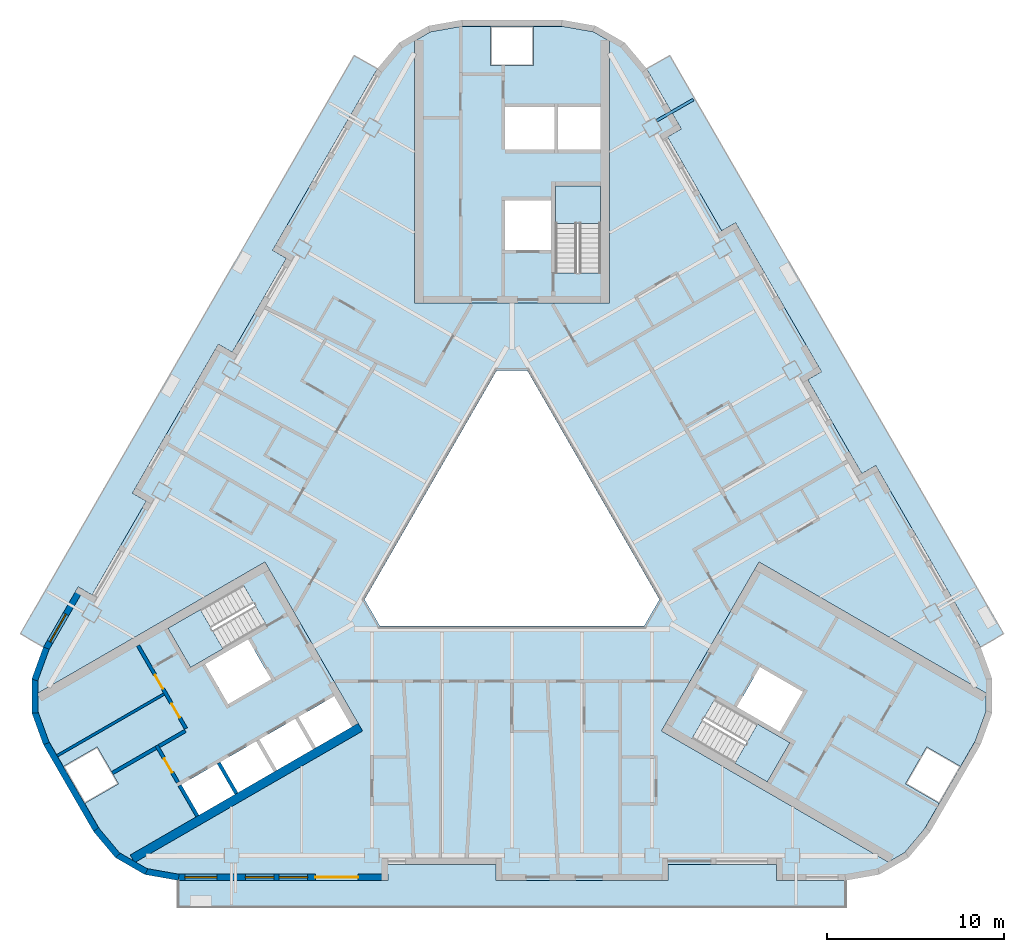
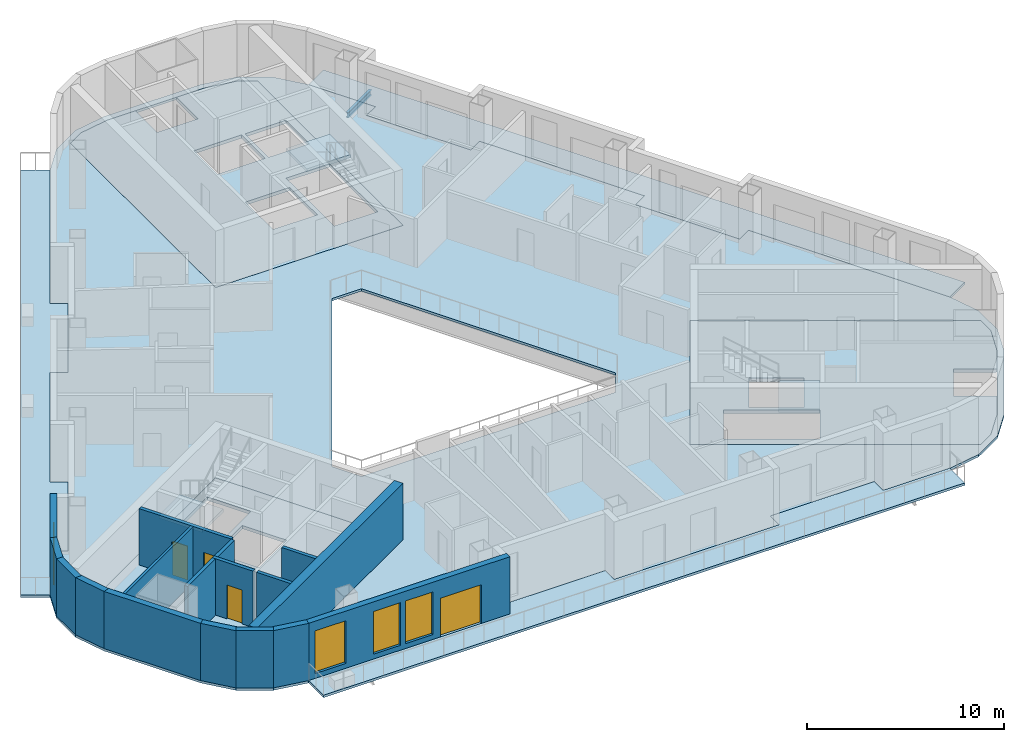
# One storey, part 2 of 14: 17 walls, 10 slabs, 4 doors, 4 windows, 1 beam, 8 openings, 3 elements without a shape of their own.
"""IFC4 building model written with IfcOpenShell, lengths in metres."""

from ifc_helpers import new_model, si_unit, direction, frame, frame_2d, origin, origin_2d, place, context, subcontext, project, spatial, polyline, rectangle, i_section, outline, extrude, material, layer, layer_set, material_profile, profile_set, type_object, element, fill, aggregate, save


model = new_model("IFC4")

# Units and contexts
model_context = context("Model", 3, precision=1e-05, world=origin(), true_north=direction((0.0, 1.0)))
body_context = subcontext(model_context, "Body", "Model", "MODEL_VIEW")
ifc_project = project(units=[si_unit("LENGTHUNIT", "METRE"), si_unit("AREAUNIT", "SQUARE_METRE"), si_unit("VOLUMEUNIT", "CUBIC_METRE"), si_unit("PLANEANGLEUNIT", "RADIAN"), si_unit("MASSUNIT", "GRAM", prefix="KILO")], contexts=[model_context])

# Site, building, storey
site_placement = place(None, origin())
site = spatial("IfcSite", under=ifc_project, at=site_placement, CompositionType="ELEMENT")
building_placement = place(site_placement, origin())
building = spatial("IfcBuilding", under=site, at=building_placement, Name="Apuvela Tower Hotel", CompositionType="ELEMENT")
storey_placement = place(building_placement, frame((0.0, 0.0, 150.300048828125)))
storey = spatial("IfcBuildingStorey", under=building, at=storey_placement, Name="L35", CompositionType="ELEMENT", Elevation=150.300048828125)

# Beam
ifc_material_1 = material(Name="Steel S355", Category="steel")
ifc_material_profile = material_profile(ifc_material_1, i_section(OverallWidth=0.159912109375, OverallDepth=0.330078125, WebThickness=0.007568359375, FlangeThickness=0.011474609375, at=origin_2d()), Name="IPE 330")
ifc_profile_set = profile_set([ifc_material_profile], Name="Steel S355")
beam_type = type_object("IfcBeamType", Name="ENV-BALCONY-BEAM-IPE330", PredefinedType="BEAM", material=ifc_profile_set)
beam_placement = place(storey_placement, frame((8.15576171875, 23.183837890625, -0.31494140625), z_axis=(0.866007538022, 0.500030943131, 0.0), x_axis=(-0.500030943131, 0.866007538022, 0.0)))
element("IfcBeam", 1, at=beam_placement, inside=storey, type_object=beam_type, Name="Balcony cantilever beam NE3 L35", PredefinedType="BEAM", context=body_context, shape_type="SweptSolid", body=[
    extrude(i_section(OverallWidth=0.159912109375, OverallDepth=0.330078125, WebThickness=0.007568359375, FlangeThickness=0.011474609375, at=origin_2d()), origin(), (0.0, 0.0, 1.0), 2.374755859375),
])

# Slabs
ifc_material_2 = material(Name="Concrete C50/60", Category="concrete")
ifc_layer_1 = layer(ifc_material_2, 0.199951171875)
ifc_layer_set_1 = layer_set([ifc_layer_1], Name="COR-FLOOR-200")
slab_type_1 = type_object("IfcSlabType", Name="COR-FLOOR-200", PredefinedType="FLOOR", material=ifc_layer_set_1)
slab_1_placement = place(storey_placement, frame((0.0, 0.0, -0.199951171875)))
element("IfcSlab", 2, at=slab_1_placement, inside=storey, type_object=slab_type_1, Name="Core floor N", PredefinedType="FLOOR", context=body_context, shape_type="SweptSolid", body=[
    extrude(outline(polyline([(5.5, 27.668212890625), (4.588623046875, 28.1943359375), (2.85498046875, 28.5), (1.199951171875, 28.5), (1.199951171875, 26.300048828125), (-1.199951171875, 26.300048828125), (-1.199951171875, 28.5), (-2.85498046875, 28.5), (-4.588623046875, 28.1943359375), (-5.5, 27.668212890625), (-5.5, 12.89990234375), (5.5, 12.89990234375), (5.5, 27.668212890625)]), holes=[polyline([(5.0, 14.60595703125), (2.449951171875, 14.60595703125), (2.449951171875, 19.5), (5.0, 19.5), (5.0, 14.60595703125)]), polyline([(2.199951171875, 15.89990234375), (-0.39990234375, 15.89990234375), (-0.39990234375, 18.699951171875), (2.199951171875, 18.699951171875), (2.199951171875, 15.89990234375)]), polyline([(5.0, 21.550048828125), (2.60009765625, 21.550048828125), (2.60009765625, 23.949951171875), (5.0, 23.949951171875), (5.0, 21.550048828125)]), polyline([(2.39990234375, 21.550048828125), (-0.39990234375, 21.550048828125), (-0.39990234375, 23.949951171875), (2.39990234375, 23.949951171875), (2.39990234375, 21.550048828125)])]), origin(), (0.0, 0.0, 1.0), 0.199951171875),
])
slab_2_placement = place(storey_placement, frame((0.0, 0.0, -0.199951171875)))
element("IfcSlab", 3, at=slab_2_placement, inside=storey, type_object=slab_type_1, Name="Core floor SW", PredefinedType="FLOOR", context=body_context, shape_type="SweptSolid", body=[
    extrude(outline(polyline([(-26.711181640625, -9.07080078125), (-26.711181640625, -10.123291015625), (-26.109375, -11.77734375), (-25.28173828125, -13.210693359375), (-23.37646484375, -12.11083984375), (-22.176513671875, -14.189208984375), (-24.081787109375, -15.289306640625), (-23.254150390625, -16.72265625), (-22.122802734375, -18.071044921875), (-21.211181640625, -18.59716796875), (-8.421630859375, -11.213134765625), (-13.921630859375, -1.68701171875), (-26.711181640625, -9.07080078125)]), holes=[polyline([(-10.01806640625, -9.248046875), (-9.01806640625, -10.97998046875), (-11.044677734375, -12.150146484375), (-12.044677734375, -10.418212890625), (-10.01806640625, -9.248046875)]), polyline([(-14.244384765625, -11.68798828125), (-12.2177734375, -10.51806640625), (-11.2177734375, -12.25), (-13.244384765625, -13.420166015625), (-14.244384765625, -11.68798828125)]), polyline([(-19.387451171875, -5.419921875), (-15.149169921875, -2.972900390625), (-13.874267578125, -5.18115234375), (-18.112548828125, -7.628173828125), (-19.387451171875, -5.419921875)]), polyline([(-14.869873046875, -6.044677734375), (-13.56982421875, -8.29638671875), (-15.99462890625, -9.6962890625), (-17.294677734375, -7.444580078125), (-14.869873046875, -6.044677734375)]), polyline([(-16.444091796875, -12.9580078125), (-14.41748046875, -11.7880859375), (-13.41748046875, -13.52001953125), (-15.444091796875, -14.690185546875), (-16.444091796875, -12.9580078125)]), polyline([(-18.643798828125, -14.22802734375), (-16.6171875, -13.05810546875), (-15.6171875, -14.7900390625), (-17.643798828125, -15.960205078125), (-18.643798828125, -14.22802734375)])]), origin(), (0.0, 0.0, 1.0), 0.199951171875),
])
slab_3_placement = place(storey_placement, frame((0.0, 0.0, -0.199951171875)))
element("IfcSlab", 4, at=slab_3_placement, inside=storey, type_object=slab_type_1, Name="Core floor SE", PredefinedType="FLOOR", context=body_context, shape_type="SweptSolid", body=[
    extrude(outline(polyline([(21.211181640625, -18.59716796875), (22.122802734375, -18.071044921875), (23.254150390625, -16.72265625), (24.081787109375, -15.289306640625), (22.176513671875, -14.189208984375), (23.37646484375, -12.11083984375), (25.28173828125, -13.210693359375), (26.109375, -11.77734375), (26.711181640625, -10.123291015625), (26.711181640625, -9.07080078125), (13.921630859375, -1.68701171875), (8.421630859375, -11.213134765625), (21.211181640625, -18.59716796875)]), holes=[polyline([(11.42431640625, -9.4248046875), (15.66259765625, -11.871826171875), (14.387451171875, -14.080078125), (10.149169921875, -11.633056640625), (11.42431640625, -9.4248046875)]), polyline([(13.9697265625, -7.603515625), (16.394775390625, -9.003662109375), (15.0947265625, -11.25537109375), (12.669921875, -9.855224609375), (13.9697265625, -7.603515625)])]), origin(), (0.0, 0.0, 1.0), 0.199951171875),
])

# Stair, slab
stair_type = type_object("IfcStairType", Name="COR-STAIR-22R", PredefinedType="HALF_TURN_STAIR", material=ifc_material_2)
stair_1_placement = place(storey_placement, origin())
stair_1 = element("IfcStair", 5, at=stair_1_placement, inside=storey, type_object=stair_type, Name="L35 Exit stair ST1", PredefinedType="HALF_TURN_STAIR")
ifc_layer_2 = layer(ifc_material_2, 0.199951171875)
ifc_layer_set_2 = layer_set([ifc_layer_2], Name="COR-LANDING-200")
slab_type_2 = type_object("IfcSlabType", Name="COR-LANDING-200", PredefinedType="LANDING", material=ifc_layer_set_2)
slab_4_placement = place(storey_placement, frame((0.0, 0.0, 1.64990234375)))
slab_4 = element("IfcSlab", 6, at=slab_4_placement, type_object=slab_type_2, Name="ST1 landing 1", PredefinedType="LANDING", context=body_context, shape_type="SweptSolid", body=[
    extrude(outline(polyline([(5.0, 17.39404296875), (5.0, 19.5), (2.449951171875, 19.5), (2.449951171875, 17.39404296875), (5.0, 17.39404296875)])), origin(), (0.0, 0.0, 1.0), 0.199951171875),
])
aggregate(stair_1, [slab_4])

stair_2_placement = place(storey_placement, origin())
stair_2 = element("IfcStair", 7, at=stair_2_placement, inside=storey, type_object=stair_type, Name="L35 Exit stair ST2", PredefinedType="HALF_TURN_STAIR")
slab_5_placement = place(storey_placement, frame((0.0, 0.0, 1.64990234375)))
slab_5 = element("IfcSlab", 8, at=slab_5_placement, type_object=slab_type_2, Name="ST2 landing 1", PredefinedType="LANDING", context=body_context, shape_type="SweptSolid", body=[
    extrude(outline(polyline([(-17.563720703125, -4.366943359375), (-19.387451171875, -5.419921875), (-18.112548828125, -7.628173828125), (-16.28857421875, -6.5751953125), (-17.563720703125, -4.366943359375)])), origin(), (0.0, 0.0, 1.0), 0.199951171875),
])
aggregate(stair_2, [slab_5])

stair_3_placement = place(storey_placement, origin())
stair_3 = element("IfcStair", 9, at=stair_3_placement, inside=storey, type_object=stair_type, Name="L35 Exit stair ST3", PredefinedType="HALF_TURN_STAIR")
slab_6_placement = place(storey_placement, frame((0.0, 0.0, 1.64990234375)))
slab_6 = element("IfcSlab", 10, at=slab_6_placement, type_object=slab_type_2, Name="ST3 landing 1", PredefinedType="LANDING", context=body_context, shape_type="SweptSolid", body=[
    extrude(outline(polyline([(12.563720703125, -13.027099609375), (14.387451171875, -14.080078125), (15.66259765625, -11.871826171875), (13.838623046875, -10.81884765625), (12.563720703125, -13.027099609375)])), origin(), (0.0, 0.0, 1.0), 0.199951171875),
])
aggregate(stair_3, [slab_6])

# Slabs
ifc_material_3 = material(Name="Concrete C40/50, fair-faced", Category="concrete")
ifc_layer_3 = layer(ifc_material_3, 0.14990234375)
ifc_layer_set_3 = layer_set([ifc_layer_3], Name="ENV-BALCONY-150")
slab_type_3 = type_object("IfcSlabType", Name="ENV-BALCONY-150", PredefinedType="FLOOR", material=ifc_layer_set_3)
slab_7_placement = place(storey_placement, frame((0.0, 0.0, -0.150146484375)))
element("IfcSlab", 11, at=slab_7_placement, inside=storey, type_object=slab_type_3, Name="Balcony slab S L35", PredefinedType="FLOOR", context=body_context, shape_type="SweptSolid", body=[
    extrude(outline(polyline([(18.82080078125, -21.135009765625), (-18.82080078125, -21.135009765625), (-18.82080078125, -19.625), (-7.0048828125, -19.625), (-7.0048828125, -18.72509765625), (-0.89501953125, -18.72509765625), (-0.89501953125, -19.625), (8.794921875, -19.625), (8.794921875, -18.72509765625), (14.905029296875, -18.72509765625), (14.905029296875, -19.625), (18.82080078125, -19.625), (18.82080078125, -21.135009765625)])), origin(), (0.0, 0.0, 1.0), 0.150146484375),
])
slab_8_placement = place(storey_placement, frame((0.0, 0.0, -0.150146484375)))
element("IfcSlab", 12, at=slab_8_placement, inside=storey, type_object=slab_type_3, Name="Balcony slab NE L35", PredefinedType="FLOOR", context=body_context, shape_type="SweptSolid", body=[
    extrude(outline(polyline([(17.443359375, 9.037353515625), (12.598388671875, 17.42919921875), (11.81884765625, 16.979248046875), (8.763916015625, 22.2705078125), (9.543212890625, 22.720703125), (7.585205078125, 26.11181640625), (8.89306640625, 26.86669921875), (27.7138671875, -5.731689453125), (26.40625, -6.48681640625), (20.498291015625, 3.74609375), (19.71875, 3.2958984375), (16.663818359375, 8.58740234375), (17.443359375, 9.037353515625)])), origin(), (0.0, 0.0, 1.0), 0.150146484375),
])
slab_9_placement = place(storey_placement, frame((0.0, 0.0, -0.150146484375)))
element("IfcSlab", 13, at=slab_9_placement, inside=storey, type_object=slab_type_3, Name="Balcony slab NW L35", PredefinedType="FLOOR", context=body_context, shape_type="SweptSolid", body=[
    extrude(outline(polyline([(-27.7138671875, -5.731689453125), (-8.89306640625, 26.86669921875), (-7.585205078125, 26.11181640625), (-13.4931640625, 15.87890625), (-12.7138671875, 15.428955078125), (-15.768798828125, 10.1376953125), (-16.548095703125, 10.587646484375), (-21.393310546875, 2.19580078125), (-20.61376953125, 1.745849609375), (-23.668701171875, -3.545654296875), (-24.4482421875, -3.095703125), (-26.40625, -6.48681640625), (-27.7138671875, -5.731689453125)])), origin(), (0.0, 0.0, 1.0), 0.150146484375),
])
ifc_material_4 = material(Name="Concrete C35/45", Category="concrete")
ifc_layer_4 = layer(ifc_material_4, 0.14990234375)
ifc_layer_set_4 = layer_set([ifc_layer_4], Name="STR-SLAB 150 floor Concrete C35/45")
slab_type_4 = type_object("IfcSlabType", Name="STR-SLAB 150 floor Concrete C35/45", PredefinedType="FLOOR", material=ifc_layer_set_4)
slab_10_placement = place(storey_placement, frame((0.0, 0.0, -0.150146484375)))
element("IfcSlab", 14, at=slab_10_placement, inside=storey, type_object=slab_type_4, Name="Floor slab S4 L35", PredefinedType="FLOOR", context=body_context, shape_type="SweptSolid", body=[
    extrude(outline(polyline([(-6.3642578125, 27.5732421875), (-4.710205078125, 28.5283203125), (-2.8291015625, 28.860107421875), (2.8291015625, 28.860107421875), (4.710205078125, 28.5283203125), (6.3642578125, 27.5732421875), (7.59228515625, 26.110107421875), (9.550048828125, 22.71875), (8.770751953125, 22.268798828125), (11.82080078125, 16.986083984375), (12.60009765625, 17.43603515625), (17.4501953125, 9.035400390625), (16.670654296875, 8.58544921875), (19.720703125, 3.302734375), (20.5, 3.752685546875), (26.407958984375, -6.47998046875), (27.061279296875, -8.27490234375), (27.061279296875, -10.18505859375), (26.407958984375, -11.97998046875), (23.5791015625, -16.8798828125), (22.351318359375, -18.34326171875), (20.697021484375, -19.29833984375), (18.81591796875, -19.6298828125), (14.89990234375, -19.6298828125), (14.89990234375, -18.72998046875), (8.800048828125, -18.72998046875), (8.800048828125, -19.6298828125), (-0.89990234375, -19.6298828125), (-0.89990234375, -18.72998046875), (-7.0, -18.72998046875), (-7.0, -19.6298828125), (-18.81591796875, -19.6298828125), (-20.697021484375, -19.29833984375), (-22.351318359375, -18.34326171875), (-23.5791015625, -16.8798828125), (-26.407958984375, -11.97998046875), (-27.061279296875, -10.18505859375), (-27.061279296875, -8.27490234375), (-26.407958984375, -6.47998046875), (-24.4501953125, -3.088623046875), (-23.670654296875, -3.538818359375), (-20.62060546875, 1.743896484375), (-21.400146484375, 2.194091796875), (-16.550048828125, 10.594482421875), (-15.7705078125, 10.14453125), (-12.720703125, 15.42724609375), (-13.5, 15.877197265625), (-7.59228515625, 26.110107421875), (-6.3642578125, 27.5732421875)]), holes=[polyline([(0.865966796875, 9.10009765625), (-0.865966796875, 9.10009765625), (-8.313720703125, -3.800048828125), (-7.44775390625, -5.300048828125), (7.44775390625, -5.300048828125), (8.313720703125, -3.800048828125), (0.865966796875, 9.10009765625)]), polyline([(-5.5, 12.89990234375), (-5.5, 27.668212890625), (-4.588623046875, 28.1943359375), (-2.85498046875, 28.5), (2.85498046875, 28.5), (4.588623046875, 28.1943359375), (5.5, 27.668212890625), (5.5, 12.89990234375), (-5.5, 12.89990234375)]), polyline([(-8.421630859375, -11.213134765625), (-21.211181640625, -18.59716796875), (-22.122802734375, -18.071044921875), (-23.254150390625, -16.72265625), (-26.109375, -11.77734375), (-26.711181640625, -10.123291015625), (-26.711181640625, -9.07080078125), (-13.921630859375, -1.68701171875), (-8.421630859375, -11.213134765625)]), polyline([(13.921630859375, -1.68701171875), (26.711181640625, -9.07080078125), (26.711181640625, -10.123291015625), (26.109375, -11.77734375), (23.254150390625, -16.72265625), (22.122802734375, -18.071044921875), (21.211181640625, -18.59716796875), (8.421630859375, -11.213134765625), (13.921630859375, -1.68701171875)])]), origin(), (0.0, 0.0, 1.0), 0.150146484375),
])

# Walls
ifc_layer_5 = layer(ifc_material_2, 0.5)
ifc_layer_set_5 = layer_set([ifc_layer_5], Name="COR-WALL-CORE-500")
wall_type_1 = type_object("IfcWallType", Name="COR-WALL-CORE-500", PredefinedType="SHEAR", material=ifc_layer_set_5)
wall_1_placement = place(storey_placement, frame((-8.546630859375, -10.99658203125, 0.0), z_axis=(0.0, 0.0, 1.0), x_axis=(-0.866025009528, -0.500000682871, 0.0)))
element("IfcWall", 15, at=wall_1_placement, inside=storey, type_object=wall_type_1, Name="Core wall SW", PredefinedType="SHEAR", context=body_context, shape_type="SweptSolid", body=[
    extrude(rectangle(XDim=14.8369140625, YDim=0.5, at=frame_2d((7.41845703125, 0.0))), origin(), (0.0, 0.0, 1.0), 3.5),
])
ifc_material_5 = material(Name="Blockwork 150 mm plastered", Category="masonry")
ifc_layer_6 = layer(ifc_material_5, 0.14990234375)
ifc_layer_set_6 = layer_set([ifc_layer_6], Name="COR-WALL-PART-150")
wall_type_2 = type_object("IfcWallType", Name="COR-WALL-PART-150", PredefinedType="PARTITIONING", material=ifc_layer_set_6)
wall_2_placement = place(storey_placement, frame((-19.61279296875, -9.129638671875, 0.0), z_axis=(0.0, 0.0, 1.0), x_axis=(-0.866031734426, -0.499989034847, 0.0)))
element("IfcWall", 16, at=wall_2_placement, inside=storey, type_object=wall_type_2, Name="Partition SW", PredefinedType="PARTITIONING", context=body_context, shape_type="SweptSolid", body=[
    extrude(rectangle(XDim=6.949951171875, YDim=0.14990234375, at=frame_2d((3.47509765625, 0.0))), origin(), (0.0, 0.0, 1.0), 3.5),
])

# Wall, openings, doors
ifc_material_6 = material(Name="Blockwork 200 mm plastered", Category="masonry")
ifc_layer_7 = layer(ifc_material_6, 0.199951171875)
ifc_layer_set_7 = layer_set([ifc_layer_7], Name="COR-WALL-PART-200")
wall_type_3 = type_object("IfcWallType", Name="COR-WALL-PART-200", PredefinedType="PARTITIONING", material=ifc_layer_set_7)
wall_3_placement = place(storey_placement, frame((-21.076171875, -6.39501953125, 0.0), z_axis=(0.0, 0.0, 1.0), x_axis=(0.50001468107, -0.866016927499, 0.0)))
wall_3 = element("IfcWall", 17, at=wall_3_placement, inside=storey, type_object=wall_type_3, Name="Partition SW", PredefinedType="PARTITIONING", context=body_context, shape_type="SweptSolid", body=[
    extrude(rectangle(XDim=5.399658203125, YDim=0.199951171875, at=frame_2d((2.69970703125, 0.0))), origin(), (0.0, 0.0, 1.0), 3.5),
])
opening_1_placement = place(wall_3_placement, frame((1.91259765625, 0.0, 0.0)))
opening_1 = element("IfcOpeningElement", 18, at=opening_1_placement, cuts=wall_3, Name="Opening W-RS1", PredefinedType="OPENING", context=body_context, shape_type="SweptSolid", body=[
    extrude(rectangle(XDim=0.89990234375, YDim=2.10009765625, at=frame_2d((0.449951171875, 1.050048828125))), frame((0.0, 0.10986328125, 0.0), z_axis=(0.0, -1.0, 0.0), x_axis=(1.0, 0.0, 0.0)), (0.0, 0.0, 1.0), 0.219970703125),
])
opening_2_placement = place(wall_3_placement, frame((3.78759765625, 0.0, 0.0)))
opening_2 = element("IfcOpeningElement", 19, at=opening_2_placement, cuts=wall_3, Name="Opening W-RS2", PredefinedType="OPENING", context=body_context, shape_type="SweptSolid", body=[
    extrude(rectangle(XDim=0.89990234375, YDim=2.10009765625, at=frame_2d((0.449951171875, 1.050048828125))), frame((0.0, 0.10986328125, 0.0), z_axis=(0.0, -1.0, 0.0), x_axis=(1.0, 0.0, 0.0)), (0.0, 0.0, 1.0), 0.219970703125),
])
ifc_material_7 = material(Name="Steel fire door, powder coated", Category="steel")
door_type_1 = type_object("IfcDoorType", Name="COR-DR-900", OperationType="NOTDEFINED", PredefinedType="DOOR", material=ifc_material_7)
door_1_placement = place(opening_1_placement, frame((0.89990234375, 0.0, 0.0), z_axis=(0.0, 0.0, 1.0), x_axis=(-1.0, 0.0, 0.0)))
door_1 = element("IfcDoor", 20, at=door_1_placement, inside=storey, type_object=door_type_1, Name="Store door W-RS1", OperationType="SINGLE_SWING_LEFT", OverallHeight=2.10009765625, OverallWidth=0.89990234375, PredefinedType="DOOR", context=body_context, shape_type="SweptSolid", body=[
    extrude(rectangle(XDim=0.89990234375, YDim=2.10009765625, at=frame_2d((0.449951171875, 1.050048828125))), frame((0.0, 0.02490234375, 0.0), z_axis=(0.0, -1.0, 0.0), x_axis=(1.0, 0.0, 0.0)), (0.0, 0.0, 1.0), 0.050048828125),
])
fill(opening_1, door_1)
door_2_placement = place(opening_2_placement, frame((0.89990234375, 0.0, 0.0), z_axis=(0.0, 0.0, 1.0), x_axis=(-1.0, 0.0, 0.0)))
door_2 = element("IfcDoor", 21, at=door_2_placement, inside=storey, type_object=door_type_1, Name="Store door W-RS2", OperationType="SINGLE_SWING_LEFT", OverallHeight=2.10009765625, OverallWidth=0.89990234375, PredefinedType="DOOR", context=body_context, shape_type="SweptSolid", body=[
    extrude(rectangle(XDim=0.89990234375, YDim=2.10009765625, at=frame_2d((0.449951171875, 1.050048828125))), frame((0.0, 0.02490234375, 0.0), z_axis=(0.0, -1.0, 0.0), x_axis=(1.0, 0.0, 0.0)), (0.0, 0.0, 1.0), 0.050048828125),
])
fill(opening_2, door_2)

# Wall, opening, door
ifc_layer_8 = layer(ifc_material_2, 0.199951171875)
ifc_layer_set_8 = layer_set([ifc_layer_8], Name="COR-WALL-SHAFT-200")
wall_type_4 = type_object("IfcWallType", Name="COR-WALL-SHAFT-200", PredefinedType="SHEAR", material=ifc_layer_set_8)
wall_4_placement = place(storey_placement, frame((-20.030517578125, -12.0263671875, 0.0), z_axis=(0.0, 0.0, 1.0), x_axis=(0.500033551112, -0.866006032174, 0.0)))
wall_4 = element("IfcWall", 22, at=wall_4_placement, inside=storey, type_object=wall_type_4, Name="Shaft wall SW", PredefinedType="SHEAR", context=body_context, shape_type="SweptSolid", body=[
    extrude(rectangle(XDim=2.400146484375, YDim=0.199951171875, at=frame_2d((1.2001953125, 0.0))), origin(), (0.0, 0.0, 1.0), 3.5),
])
opening_3_placement = place(wall_4_placement, frame((0.85009765625, 0.0, 0.0)))
opening_3 = element("IfcOpeningElement", 23, at=opening_3_placement, cuts=wall_4, Name="Opening W-REP", PredefinedType="OPENING", context=body_context, shape_type="SweptSolid", body=[
    extrude(rectangle(XDim=0.89990234375, YDim=2.10009765625, at=frame_2d((0.449951171875, 1.050048828125))), frame((0.0, 0.10986328125, 0.0), z_axis=(0.0, -1.0, 0.0), x_axis=(1.0, 0.0, 0.0)), (0.0, 0.0, 1.0), 0.219970703125),
])
door_3_placement = place(opening_3_placement, frame((0.89990234375, 0.0, 0.0), z_axis=(0.0, 0.0, 1.0), x_axis=(-1.0, 0.0, 0.0)))
door_3 = element("IfcDoor", 24, at=door_3_placement, inside=storey, type_object=door_type_1, Name="Store door W-REP", OperationType="SINGLE_SWING_LEFT", OverallHeight=2.10009765625, OverallWidth=0.89990234375, PredefinedType="DOOR", context=body_context, shape_type="SweptSolid", body=[
    extrude(rectangle(XDim=0.89990234375, YDim=2.10009765625, at=frame_2d((0.449951171875, 1.050048828125))), frame((0.0, 0.02490234375, 0.0), z_axis=(0.0, -1.0, 0.0), x_axis=(1.0, 0.0, 0.0)), (0.0, 0.0, 1.0), 0.050048828125),
])
fill(opening_3, door_3)

# Walls
wall_5_placement = place(storey_placement, frame((-18.412841796875, -11.2080078125, 0.0), z_axis=(0.0, 0.0, 1.0), x_axis=(-0.866038183914, -0.499977863513, 0.0)))
element("IfcWall", 25, at=wall_5_placement, inside=storey, type_object=wall_type_4, Name="Shaft wall SW", PredefinedType="SHEAR", context=body_context, shape_type="SweptSolid", body=[
    extrude(rectangle(XDim=1.7099609375, YDim=0.199951171875, at=frame_2d((0.85498046875, 0.0))), origin(), (0.0, 0.0, 1.0), 3.5),
])
for number, where, z_axis, x_axis, name in (
    (26, (-16.530517578125, -13.008056640625, 0.0), (0.0, 0.0, 1.0), (0.50002537861, -0.866010750942, 0.0), "Shaft wall SW"),
    (27, (-18.73046875, -14.278076171875, 0.0), (0.0, 0.0, 1.0), (0.50002537861, -0.866010750942, 0.0), "Shaft wall SW"),
):
    element("IfcWall", number, at=place(storey_placement, frame(where, z_axis=z_axis, x_axis=x_axis)), inside=storey, type_object=wall_type_4, Name=name, PredefinedType="SHEAR", context=body_context, shape_type="SweptSolid", body=[
        extrude(rectangle(XDim=2.0, YDim=0.199951171875, at=frame_2d((1.0, 0.0))), origin(), (0.0, 0.0, 1.0), 3.5),
    ])
wall_6_placement = place(storey_placement, frame((-20.06689453125, -12.1630859375, 0.0), z_axis=(0.0, 0.0, 1.0), x_axis=(-0.866055327414, -0.49994816717, 0.0)))
element("IfcWall", 28, at=wall_6_placement, inside=storey, type_object=wall_type_4, Name="Shaft wall SW", PredefinedType="SHEAR", context=body_context, shape_type="SweptSolid", body=[
    extrude(rectangle(XDim=2.840087890625, YDim=0.199951171875, at=frame_2d((1.419921875, 0.0))), origin(), (0.0, 0.0, 1.0), 3.5),
])

# Wall, opening, window
ifc_material_8 = material(Name="Concrete C40/50, dark pigmented precast panel", Category="concrete")
ifc_layer_9 = layer(ifc_material_8, 0.35009765625)
ifc_layer_set_9 = layer_set([ifc_layer_9], Name="ENV-WALL-350")
wall_type_5 = type_object("IfcWallType", Name="ENV-WALL-350", PredefinedType="SOLIDWALL", material=ifc_layer_set_9)
wall_7_placement = place(storey_placement, frame((-24.298583984375, -3.17626953125, 0.0), z_axis=(0.0, 0.0, 1.0), x_axis=(-0.500028278809, -0.866009076391, 0.0)))
wall_7 = element("IfcWall", 29, at=wall_7_placement, inside=storey, type_object=wall_type_5, Name="External wall L35-09", PredefinedType="SOLIDWALL", context=body_context, shape_type="SweptSolid", body=[
    extrude(rectangle(XDim=3.915771484375, YDim=0.35009765625, at=frame_2d((1.9580078125, 0.0))), origin(), (0.0, 0.0, 1.0), 3.550048828125),
])
opening_4_placement = place(wall_7_placement, frame((1.675048828125, 0.0, 0.300048828125)))
opening_4 = element("IfcOpeningElement", 30, at=opening_4_placement, cuts=wall_7, Name="Opening WN18", PredefinedType="OPENING", context=body_context, shape_type="SweptSolid", body=[
    extrude(rectangle(XDim=1.800048828125, YDim=2.64990234375, at=frame_2d((0.89990234375, 1.324951171875))), frame((0.0, 0.18505859375, 0.0), z_axis=(0.0, -1.0, 0.0), x_axis=(1.0, 0.0, 0.0)), (0.0, 0.0, 1.0), 0.3701171875),
])
ifc_material_9 = material(Name="Glass, dark tinted laminated insulated glazing unit", Category="glass")
window_type_1 = type_object("IfcWindowType", Name="ENV-WIN-1800x2650", PartitioningType="SINGLE_PANEL", PredefinedType="WINDOW", material=ifc_material_9)
window_1_placement = place(opening_4_placement, origin())
window_1 = element("IfcWindow", 31, at=window_1_placement, inside=storey, type_object=window_type_1, Name="Window WN18", OverallHeight=2.64990234375, OverallWidth=1.800048828125, PartitioningType="SINGLE_PANEL", PredefinedType="WINDOW", context=body_context, shape_type="SweptSolid", body=[
    extrude(rectangle(XDim=1.800048828125, YDim=2.64990234375, at=frame_2d((0.89990234375, 1.324951171875))), frame((0.0, 0.030029296875, 0.0), z_axis=(0.0, -1.0, 0.0), x_axis=(1.0, 0.0, 0.0)), (0.0, 0.0, 1.0), 0.06005859375),
])
fill(opening_4, window_1)

# Walls
for number, where, z_axis, x_axis, name in (
    (32, (-26.24365234375, -6.539794921875, 0.0), (0.0, 0.0, 1.0), (-0.342030395486, -0.939688889242, 0.0), "External wall L35-10"),
    (33, (-26.88623046875, -8.27490234375, 0.0), (0.0, 0.0, 1.0), (0.0, -1.0, 0.0), "External wall L35-11"),
    (34, (-26.89697265625, -10.125244140625, 0.0), (0.0, 0.0, 1.0), (0.342030395486, -0.939688889242, 0.0), "External wall L35-12"),
):
    element("IfcWall", number, at=place(storey_placement, frame(where, z_axis=z_axis, x_axis=x_axis)), inside=storey, type_object=wall_type_5, Name=name, PredefinedType="SOLIDWALL", context=body_context, shape_type="SweptSolid", body=[
        extrude(rectangle(XDim=1.91015625, YDim=0.35009765625, at=frame_2d((0.955078125, 0.0))), origin(), (0.0, 0.0, 1.0), 3.550048828125),
    ])
wall_8_placement = place(storey_placement, frame((-26.256591796875, -11.892578125, 0.0), z_axis=(0.0, 0.0, 1.0), x_axis=(0.500018773155, -0.866014564827, 0.0)))
element("IfcWall", 35, at=wall_8_placement, inside=storey, type_object=wall_type_5, Name="External wall L35-13", PredefinedType="SOLIDWALL", context=body_context, shape_type="SweptSolid", body=[
    extrude(rectangle(XDim=5.657958984375, YDim=0.35009765625, at=frame_2d((2.8291015625, 0.0))), origin(), (0.0, 0.0, 1.0), 3.550048828125),
])
for number, where, z_axis, x_axis, name in (
    (36, (-23.44482421875, -16.767578125, 0.0), (0.0, 0.0, 1.0), (0.642733291068, -0.76609001857, 0.0), "External wall L35-14"),
    (37, (-22.263671875, -18.191650390625, 0.0), (0.0, 0.0, 1.0), (0.866000389056, -0.500043324278, 0.0), "External wall L35-15"),
):
    element("IfcWall", number, at=place(storey_placement, frame(where, z_axis=z_axis, x_axis=x_axis)), inside=storey, type_object=wall_type_5, Name=name, PredefinedType="SOLIDWALL", context=body_context, shape_type="SweptSolid", body=[
        extrude(rectangle(XDim=1.909912109375, YDim=0.35009765625, at=frame_2d((0.955078125, 0.0))), origin(), (0.0, 0.0, 1.0), 3.550048828125),
    ])
wall_9_placement = place(storey_placement, frame((-20.66650390625, -19.1259765625, 0.0), z_axis=(0.0, 0.0, 1.0), x_axis=(0.984798995425, -0.173697837091, 0.0)))
element("IfcWall", 38, at=wall_9_placement, inside=storey, type_object=wall_type_5, Name="External wall L35-16", PredefinedType="SOLIDWALL", context=body_context, shape_type="SweptSolid", body=[
    extrude(rectangle(XDim=1.91015625, YDim=0.35009765625, at=frame_2d((0.955078125, 0.0))), origin(), (0.0, 0.0, 1.0), 3.550048828125),
])

# Wall, openings, door, windows
wall_10_placement = place(storey_placement, frame((-18.81591796875, -19.455078125, 0.0), z_axis=(0.0, 0.0, 1.0), x_axis=(1.0, 0.0, 0.0)))
wall_10 = element("IfcWall", 39, at=wall_10_placement, inside=storey, type_object=wall_type_5, Name="External wall L35-17", PredefinedType="SOLIDWALL", context=body_context, shape_type="SweptSolid", body=[
    extrude(rectangle(XDim=11.81591796875, YDim=0.35009765625, at=frame_2d((5.907958984375, 0.0))), origin(), (0.0, 0.0, 1.0), 3.550048828125),
])
opening_5_placement = place(wall_10_placement, frame((0.380615234375, 0.0, 0.300048828125)))
opening_5 = element("IfcOpeningElement", 40, at=opening_5_placement, cuts=wall_10, Name="Opening WN18", PredefinedType="OPENING", context=body_context, shape_type="SweptSolid", body=[
    extrude(rectangle(XDim=1.800048828125, YDim=2.64990234375, at=frame_2d((0.89990234375, 1.324951171875))), frame((0.0, 0.18505859375, 0.0), z_axis=(0.0, -1.0, 0.0), x_axis=(1.0, 0.0, 0.0)), (0.0, 0.0, 1.0), 0.3701171875),
])
opening_6_placement = place(wall_10_placement, frame((7.740478515625, 0.0, 0.0)))
opening_6 = element("IfcOpeningElement", 41, at=opening_6_placement, cuts=wall_10, Name="Opening BD24", PredefinedType="OPENING", context=body_context, shape_type="SweptSolid", body=[
    extrude(rectangle(XDim=2.39990234375, YDim=2.39990234375, at=frame_2d((1.199951171875, 1.199951171875))), frame((0.0, 0.18505859375, 0.0), z_axis=(0.0, -1.0, 0.0), x_axis=(1.0, 0.0, 0.0)), (0.0, 0.0, 1.0), 0.3701171875),
])
opening_7_placement = place(wall_10_placement, frame((3.790771484375, 0.0, 0.300048828125)))
opening_7 = element("IfcOpeningElement", 42, at=opening_7_placement, cuts=wall_10, Name="Opening WN16", PredefinedType="OPENING", context=body_context, shape_type="SweptSolid", body=[
    extrude(rectangle(XDim=1.60009765625, YDim=2.64990234375, at=frame_2d((0.800048828125, 1.324951171875))), frame((0.0, 0.18505859375, 0.0), z_axis=(0.0, -1.0, 0.0), x_axis=(1.0, 0.0, 0.0)), (0.0, 0.0, 1.0), 0.3701171875),
])
opening_8_placement = place(wall_10_placement, frame((5.69091796875, 0.0, 0.300048828125)))
opening_8 = element("IfcOpeningElement", 43, at=opening_8_placement, cuts=wall_10, Name="Opening WN16", PredefinedType="OPENING", context=body_context, shape_type="SweptSolid", body=[
    extrude(rectangle(XDim=1.60009765625, YDim=2.64990234375, at=frame_2d((0.800048828125, 1.324951171875))), frame((0.0, 0.18505859375, 0.0), z_axis=(0.0, -1.0, 0.0), x_axis=(1.0, 0.0, 0.0)), (0.0, 0.0, 1.0), 0.3701171875),
])
ifc_material_10 = material(Name="Aluminium 6063-T6, dark bronze anodised frame with dark tinted laminated glass", Category="aluminium")
door_type_2 = type_object("IfcDoorType", Name="ENV-DOOR-BALCONY-2400x2400", OperationType="SLIDING_TO_LEFT", PredefinedType="DOOR", material=ifc_material_10)
door_4_placement = place(opening_6_placement, frame((2.39990234375, 0.0, 0.0), z_axis=(0.0, 0.0, 1.0), x_axis=(-1.0, 0.0, 0.0)))
door_4 = element("IfcDoor", 44, at=door_4_placement, inside=storey, type_object=door_type_2, Name="Balcony door BD24", OperationType="SLIDING_TO_LEFT", OverallHeight=2.39990234375, OverallWidth=2.39990234375, PredefinedType="DOOR", context=body_context, shape_type="SweptSolid", body=[
    extrude(rectangle(XDim=2.39990234375, YDim=2.39990234375, at=frame_2d((1.199951171875, 1.199951171875))), frame((0.0, 0.02490234375, 0.0), z_axis=(0.0, -1.0, 0.0), x_axis=(1.0, 0.0, 0.0)), (0.0, 0.0, 1.0), 0.050048828125),
])
fill(opening_6, door_4)
window_type_2 = type_object("IfcWindowType", Name="ENV-WIN-1600x2650", PartitioningType="SINGLE_PANEL", PredefinedType="WINDOW", material=ifc_material_9)
window_2_placement = place(opening_7_placement, origin())
window_2 = element("IfcWindow", 45, at=window_2_placement, inside=storey, type_object=window_type_2, Name="Window WN16", OverallHeight=2.64990234375, OverallWidth=1.60009765625, PartitioningType="SINGLE_PANEL", PredefinedType="WINDOW", context=body_context, shape_type="SweptSolid", body=[
    extrude(rectangle(XDim=1.60009765625, YDim=2.64990234375, at=frame_2d((0.800048828125, 1.324951171875))), frame((0.0, 0.030029296875, 0.0), z_axis=(0.0, -1.0, 0.0), x_axis=(1.0, 0.0, 0.0)), (0.0, 0.0, 1.0), 0.06005859375),
])
fill(opening_7, window_2)
window_3_placement = place(opening_8_placement, origin())
window_3 = element("IfcWindow", 46, at=window_3_placement, inside=storey, type_object=window_type_2, Name="Window WN16", OverallHeight=2.64990234375, OverallWidth=1.60009765625, PartitioningType="SINGLE_PANEL", PredefinedType="WINDOW", context=body_context, shape_type="SweptSolid", body=[
    extrude(rectangle(XDim=1.60009765625, YDim=2.64990234375, at=frame_2d((0.800048828125, 1.324951171875))), frame((0.0, 0.030029296875, 0.0), z_axis=(0.0, -1.0, 0.0), x_axis=(1.0, 0.0, 0.0)), (0.0, 0.0, 1.0), 0.06005859375),
])
fill(opening_8, window_3)
window_4_placement = place(opening_5_placement, origin())
window_4 = element("IfcWindow", 47, at=window_4_placement, inside=storey, type_object=window_type_1, Name="Window WN18", OverallHeight=2.64990234375, OverallWidth=1.800048828125, PartitioningType="SINGLE_PANEL", PredefinedType="WINDOW", context=body_context, shape_type="SweptSolid", body=[
    extrude(rectangle(XDim=1.800048828125, YDim=2.64990234375, at=frame_2d((0.89990234375, 1.324951171875))), frame((0.0, 0.030029296875, 0.0), z_axis=(0.0, -1.0, 0.0), x_axis=(1.0, 0.0, 0.0)), (0.0, 0.0, 1.0), 0.06005859375),
])
fill(opening_5, window_4)

save(model, "model.ifc")
